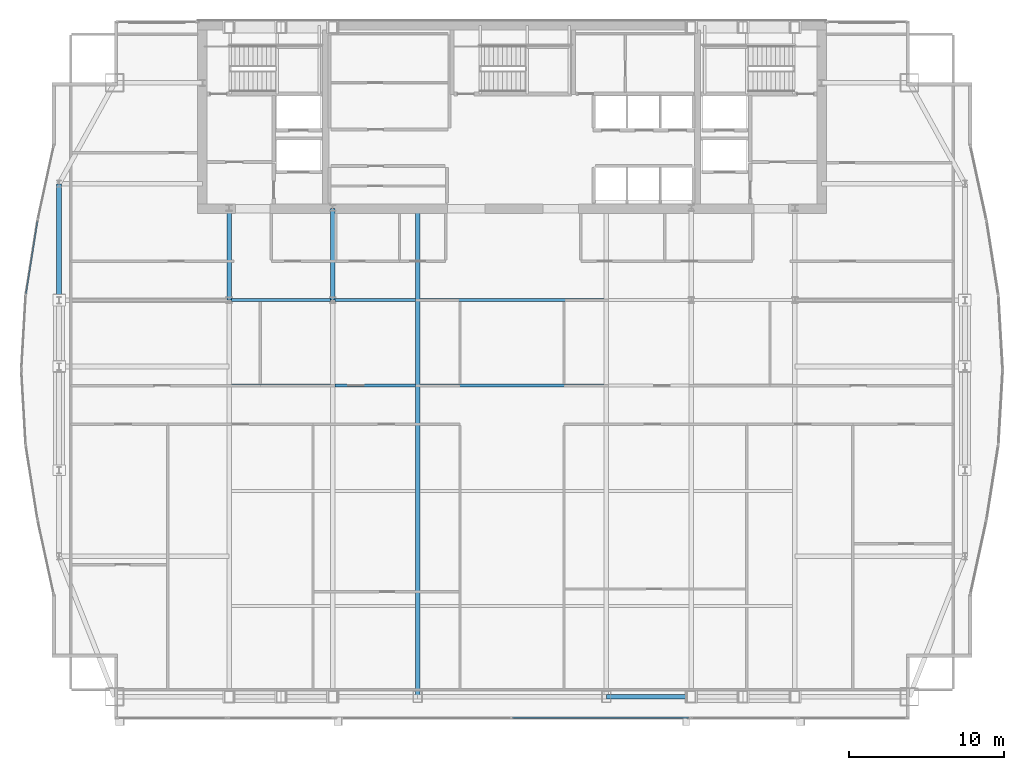
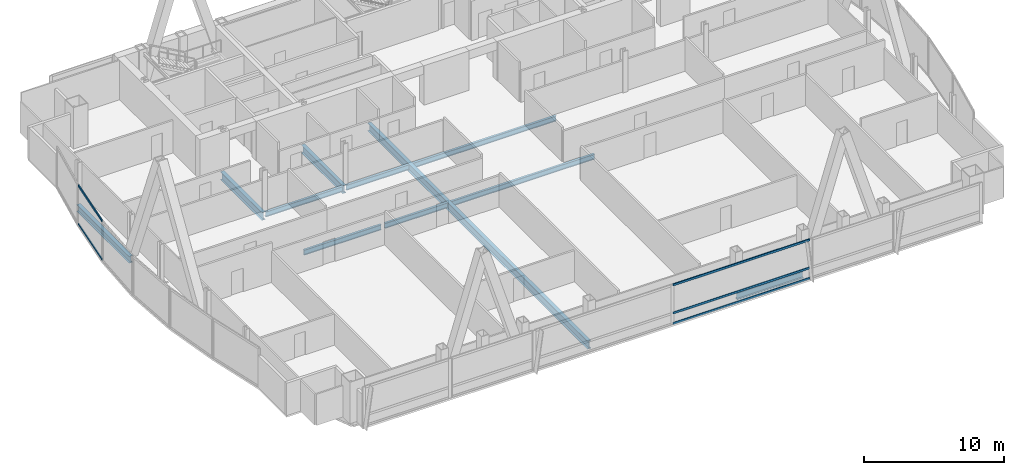
# One storey, part 12 of 33: 11 beams, 5 members, 2 elements without a shape of their own.
"""IFC4 building model written with IfcOpenShell, lengths in metres."""

from ifc_helpers import new_model, si_unit, direction, frame, origin, origin_2d, place, context, subcontext, project, spatial, hollow_rectangle, i_section, extrude, material, material_profile, profile_set, type_object, element, aggregate, save


model = new_model("IFC4")

# Units and contexts
model_context = context("Model", 3, precision=1e-05, world=origin(), true_north=direction((0.0, 1.0)))
body_context = subcontext(model_context, "Body", "Model", "MODEL_VIEW")
ifc_project = project(units=[si_unit("LENGTHUNIT", "METRE"), si_unit("AREAUNIT", "SQUARE_METRE"), si_unit("VOLUMEUNIT", "CUBIC_METRE"), si_unit("PLANEANGLEUNIT", "RADIAN"), si_unit("MASSUNIT", "GRAM", prefix="KILO")], contexts=[model_context])

# Site, building, storey
site_placement = place(None, origin())
site = spatial("IfcSite", under=ifc_project, at=site_placement, CompositionType="ELEMENT")
building_placement = place(site_placement, origin())
building = spatial("IfcBuilding", under=site, at=building_placement, Name="Khoronbel Lancet Exchange", CompositionType="ELEMENT")
storey_placement = place(building_placement, frame((0.0, 0.0, 210.199951171875)))
storey = spatial("IfcBuildingStorey", under=building, at=storey_placement, Name="L53", CompositionType="ELEMENT", Elevation=210.199951171875)

# Beams
ifc_material_1 = material(Name="Steel S355", Category="steel")
ifc_material_profile_1 = material_profile(ifc_material_1, i_section(OverallWidth=0.300048828125, OverallDepth=0.699951171875, WebThickness=0.01708984375, FlangeThickness=0.031982421875, at=origin_2d()), Name="HEB 700")
ifc_profile_set_1 = profile_set([ifc_material_profile_1], Name="Steel S355")
beam_type_1 = type_object("IfcBeamType", Name="BM-BG3", PredefinedType="BEAM", material=ifc_profile_set_1)
for number, where, z_axis, x_axis, name in (
    (1, (18.22509765625, 35.699951171875, -0.510009765625), (0.0, 1.0, 0.0), (-1.0, 0.0, 0.0), "Level L53 spine tie girder GN1"),
    (2, (24.89990234375, 35.699951171875, -0.510009765625), (0.0, 1.0, 0.0), (-1.0, 0.0, 0.0), "Level L53 spine tie girder GN2"),
):
    element("IfcBeam", number, at=place(storey_placement, frame(where, z_axis=z_axis, x_axis=x_axis)), inside=storey, type_object=beam_type_1, Name=name, PredefinedType="BEAM", context=body_context, shape_type="SweptSolid", body=[
        extrude(i_section(OverallWidth=0.300048828125, OverallDepth=0.699951171875, WebThickness=0.01708984375, FlangeThickness=0.031982421875, at=origin_2d()), origin(), (0.0, 0.0, 1.0), 5.900146484375),
    ])
beam_1_placement = place(storey_placement, frame((30.375, 10.14990234375, -0.510009765625), z_axis=(0.0, 1.0, 0.0), x_axis=(-1.0, 0.0, 0.0)))
element("IfcBeam", 3, at=beam_1_placement, inside=storey, type_object=beam_type_1, Name="Level L53 primary floor girder G3", PredefinedType="BEAM", context=body_context, shape_type="SweptSolid", body=[
    extrude(i_section(OverallWidth=0.300048828125, OverallDepth=0.699951171875, WebThickness=0.01708984375, FlangeThickness=0.031982421875, at=origin_2d()), origin(), (0.0, 0.0, 1.0), 31.4501953125),
])
ifc_material_profile_2 = material_profile(ifc_material_1, i_section(OverallWidth=0.18994140625, OverallDepth=0.449951171875, WebThickness=0.009521484375, FlangeThickness=0.0146484375, at=origin_2d()), Name="IPE 450")
ifc_profile_set_2 = profile_set([ifc_material_profile_2], Name="Steel S355")
beam_type_2 = type_object("IfcBeamType", Name="BM-BJ4", PredefinedType="JOIST", material=ifc_profile_set_2)
beam_2_placement = place(storey_placement, frame((18.375, 30.199951171875, -0.385009765625), z_axis=(1.0, 0.0, 0.0), x_axis=(0.0, 1.0, 0.0)))
element("IfcBeam", 4, at=beam_2_placement, inside=storey, type_object=beam_type_2, Name="Level L53 secondary composite joist J11", PredefinedType="JOIST", context=body_context, shape_type="SweptSolid", body=[
    extrude(i_section(OverallWidth=0.18994140625, OverallDepth=0.449951171875, WebThickness=0.009521484375, FlangeThickness=0.0146484375, at=origin_2d()), origin(), (0.0, 0.0, 1.0), 6.375),
])
beam_3_placement = place(storey_placement, frame((25.050048828125, 30.199951171875, -0.385009765625), z_axis=(1.0, 0.0, 0.0), x_axis=(0.0, 1.0, 0.0)))
element("IfcBeam", 5, at=beam_3_placement, inside=storey, type_object=beam_type_2, Name="Level L53 secondary composite joist J12", PredefinedType="JOIST", context=body_context, shape_type="SweptSolid", body=[
    extrude(i_section(OverallWidth=0.18994140625, OverallDepth=0.449951171875, WebThickness=0.009521484375, FlangeThickness=0.0146484375, at=origin_2d()), origin(), (0.0, 0.0, 1.0), 5.175048828125),
])
beam_4_placement = place(storey_placement, frame((30.52490234375, 30.199951171875, -0.385009765625), z_axis=(1.0, 0.0, 0.0), x_axis=(0.0, 1.0, 0.0)))
element("IfcBeam", 6, at=beam_4_placement, inside=storey, type_object=beam_type_2, Name="Level L53 secondary composite joist J13", PredefinedType="JOIST", context=body_context, shape_type="SweptSolid", body=[
    extrude(i_section(OverallWidth=0.18994140625, OverallDepth=0.449951171875, WebThickness=0.009521484375, FlangeThickness=0.0146484375, at=origin_2d()), origin(), (0.0, 0.0, 1.0), 11.85009765625),
])
beam_5_placement = place(storey_placement, frame((18.375, 35.699951171875, -0.385009765625), z_axis=(1.0, 0.0, 0.0), x_axis=(0.0, 1.0, 0.0)))
element("IfcBeam", 7, at=beam_5_placement, inside=storey, type_object=beam_type_2, Name="Level L53 secondary composite joist J16", PredefinedType="JOIST", context=body_context, shape_type="SweptSolid", body=[
    extrude(i_section(OverallWidth=0.18994140625, OverallDepth=0.449951171875, WebThickness=0.009521484375, FlangeThickness=0.0146484375, at=origin_2d()), origin(), (0.0, 0.0, 1.0), 6.375),
])
beam_6_placement = place(storey_placement, frame((25.050048828125, 35.699951171875, -0.385009765625), z_axis=(1.0, 0.0, 0.0), x_axis=(0.0, 1.0, 0.0)))
element("IfcBeam", 8, at=beam_6_placement, inside=storey, type_object=beam_type_2, Name="Level L53 secondary composite joist J17", PredefinedType="JOIST", context=body_context, shape_type="SweptSolid", body=[
    extrude(i_section(OverallWidth=0.18994140625, OverallDepth=0.449951171875, WebThickness=0.009521484375, FlangeThickness=0.0146484375, at=origin_2d()), origin(), (0.0, 0.0, 1.0), 5.175048828125),
])
beam_7_placement = place(storey_placement, frame((30.52490234375, 35.699951171875, -0.385009765625), z_axis=(1.0, 0.0, 0.0), x_axis=(0.0, 1.0, 0.0)))
element("IfcBeam", 9, at=beam_7_placement, inside=storey, type_object=beam_type_2, Name="Level L53 secondary composite joist J18", PredefinedType="JOIST", context=body_context, shape_type="SweptSolid", body=[
    extrude(i_section(OverallWidth=0.18994140625, OverallDepth=0.449951171875, WebThickness=0.009521484375, FlangeThickness=0.0146484375, at=origin_2d()), origin(), (0.0, 0.0, 1.0), 11.85009765625),
])
ifc_material_profile_3 = material_profile(ifc_material_1, i_section(OverallWidth=0.300048828125, OverallDepth=0.60009765625, WebThickness=0.015380859375, FlangeThickness=0.030029296875, at=origin_2d()), Name="HEB 600")
ifc_profile_set_3 = profile_set([ifc_material_profile_3], Name="Steel S355")
beam_type_3 = type_object("IfcBeamType", Name="BM-BSP2", PredefinedType="SPANDREL", material=ifc_profile_set_3)
beam_8_placement = place(storey_placement, frame((42.52490234375, 10.14990234375, -0.4599609375), z_axis=(1.0, 0.0, 0.0), x_axis=(0.0, 1.0, 0.0)))
element("IfcBeam", 10, at=beam_8_placement, inside=storey, type_object=beam_type_3, Name="Level L53 perimeter spandrel beam SP06", PredefinedType="SPANDREL", context=body_context, shape_type="SweptSolid", body=[
    extrude(i_section(OverallWidth=0.300048828125, OverallDepth=0.60009765625, WebThickness=0.015380859375, FlangeThickness=0.030029296875, at=origin_2d()), origin(), (0.0, 0.0, 1.0), 5.47509765625),
])
beam_9_placement = place(storey_placement, frame((7.27001953125, 43.199951171875, -0.4599609375), z_axis=(0.0, -1.0, 0.0), x_axis=(1.0, 0.0, 0.0)))
element("IfcBeam", 11, at=beam_9_placement, inside=storey, type_object=beam_type_3, Name="Level L53 perimeter spandrel beam SP17", PredefinedType="SPANDREL", context=body_context, shape_type="SweptSolid", body=[
    extrude(i_section(OverallWidth=0.300048828125, OverallDepth=0.60009765625, WebThickness=0.015380859375, FlangeThickness=0.030029296875, at=origin_2d()), origin(), (0.0, 0.0, 1.0), 7.5),
])

# Curtain wall, members
ifc_material_2 = material(Name="Low-E Solar Control Insulating Glass", Category="glass")
curtain_wall_type_1 = type_object("IfcCurtainWallType", Name="CW-4", PredefinedType="NOTDEFINED", material=ifc_material_2)
curtain_wall_1_placement = place(storey_placement, origin())
curtain_wall_1 = element("IfcCurtainWall", 12, at=curtain_wall_1_placement, inside=storey, type_object=curtain_wall_type_1, Name="Unitised curtain wall CW-L53-E08", PredefinedType="NOTDEFINED")
ifc_material_3 = material(Name="Bronze-Anodised Aluminium 6063-T6", Category="aluminium")
ifc_material_profile_4 = material_profile(ifc_material_3, hollow_rectangle(XDim=0.0849609375, YDim=0.179931640625, WallThickness=0.0048828125, at=origin_2d()), Name="ALU TRANSOM 85x180")
ifc_profile_set_4 = profile_set([ifc_material_profile_4], Name="Bronze-Anodised Aluminium 6063-T6")
member_type = type_object("IfcMemberType", Name="MEM-CWT1", PredefinedType="USERDEFINED", material=ifc_profile_set_4)
member_1_placement = place(storey_placement, frame((5.135986328125, 36.09765625, 0.04248046875), z_axis=(0.156780311667, 0.987633501798, 0.0), x_axis=(-0.987633501798, 0.156780311667, 0.0)))
member_1 = element("IfcMember", 13, at=member_1_placement, type_object=member_type, Name="CW4 transom 1.1", ObjectType="TRANSOM", PredefinedType="USERDEFINED", context=body_context, shape_type="SweptSolid", body=[
    extrude(hollow_rectangle(XDim=0.0849609375, YDim=0.179931640625, WallThickness=0.0048828125, at=origin_2d()), origin(), (0.0, 0.0, 1.0), 4.737060546875),
])
member_2_placement = place(storey_placement, frame((5.135986328125, 36.09765625, 3.3974609375), z_axis=(0.156780311667, 0.987633501798, 0.0), x_axis=(-0.987633501798, 0.156780311667, 0.0)))
member_2 = element("IfcMember", 14, at=member_2_placement, type_object=member_type, Name="CW4 transom 1.2", ObjectType="TRANSOM", PredefinedType="USERDEFINED", context=body_context, shape_type="SweptSolid", body=[
    extrude(hollow_rectangle(XDim=0.0849609375, YDim=0.179931640625, WallThickness=0.0048828125, at=origin_2d()), origin(), (0.0, 0.0, 1.0), 4.737060546875),
])
aggregate(curtain_wall_1, [member_1, member_2])

curtain_wall_type_2 = type_object("IfcCurtainWallType", Name="CW-3", PredefinedType="NOTDEFINED", material=ifc_material_2)
curtain_wall_2_placement = place(storey_placement, origin())
curtain_wall_2 = element("IfcCurtainWall", 15, at=curtain_wall_2_placement, inside=storey, type_object=curtain_wall_type_2, Name="Unitised curtain wall CW-L53-SCV", PredefinedType="NOTDEFINED")
member_3_placement = place(storey_placement, frame((36.492431640625, 8.7900390625, 0.04248046875), z_axis=(1.0, 0.0, 0.0), x_axis=(0.0, 1.0, 0.0)))
member_3 = element("IfcMember", 16, at=member_3_placement, type_object=member_type, Name="CW3 transom 2.1", ObjectType="TRANSOM", PredefinedType="USERDEFINED", context=body_context, shape_type="SweptSolid", body=[
    extrude(hollow_rectangle(XDim=0.0849609375, YDim=0.179931640625, WallThickness=0.0048828125, at=origin_2d()), origin(), (0.0, 0.0, 1.0), 11.322509765625),
])
member_4_placement = place(storey_placement, frame((36.492431640625, 8.7900390625, 0.949951171875), z_axis=(1.0, 0.0, 0.0), x_axis=(0.0, 1.0, 0.0)))
member_4 = element("IfcMember", 17, at=member_4_placement, type_object=member_type, Name="CW3 transom 2.2", ObjectType="TRANSOM", PredefinedType="USERDEFINED", context=body_context, shape_type="SweptSolid", body=[
    extrude(hollow_rectangle(XDim=0.0849609375, YDim=0.179931640625, WallThickness=0.0048828125, at=origin_2d()), origin(), (0.0, 0.0, 1.0), 11.322509765625),
])
member_5_placement = place(storey_placement, frame((36.492431640625, 8.7900390625, 3.3974609375), z_axis=(1.0, 0.0, 0.0), x_axis=(0.0, 1.0, 0.0)))
member_5 = element("IfcMember", 18, at=member_5_placement, type_object=member_type, Name="CW3 transom 2.3", ObjectType="TRANSOM", PredefinedType="USERDEFINED", context=body_context, shape_type="SweptSolid", body=[
    extrude(hollow_rectangle(XDim=0.0849609375, YDim=0.179931640625, WallThickness=0.0048828125, at=origin_2d()), origin(), (0.0, 0.0, 1.0), 11.322509765625),
])
aggregate(curtain_wall_2, [member_3, member_4, member_5])

save(model, "model.ifc")
